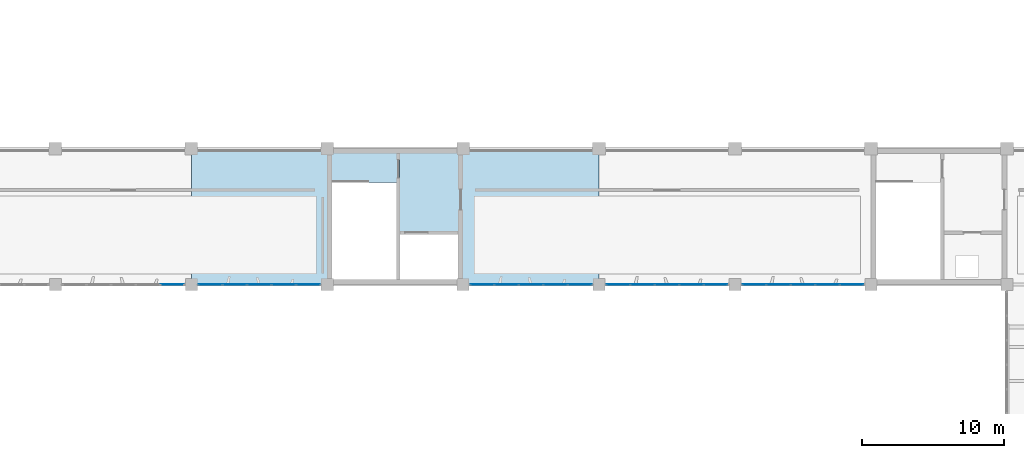
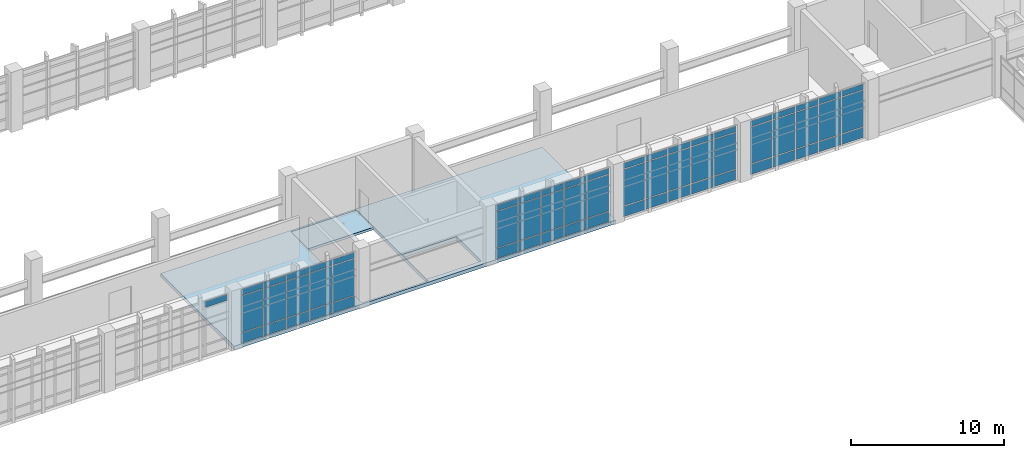
# One storey, part 52 of 86: 61 plates, 2 slabs, 5 elements without a shape of their own.
"""IFC4 building model written with IfcOpenShell, lengths in metres."""

from ifc_helpers import new_model, si_unit, direction, frame, origin, origin_2d, place, context, subcontext, project, spatial, polyline, rectangle, outline, extrude, material, layer, layer_set, type_object, element, aggregate, save


model = new_model("IFC4")

# Units and contexts
model_context = context("Model", 3, precision=1e-05, world=origin(), true_north=direction((0.0, 1.0)))
body_context = subcontext(model_context, "Body", "Model", "MODEL_VIEW")
ifc_project = project(units=[si_unit("LENGTHUNIT", "METRE"), si_unit("AREAUNIT", "SQUARE_METRE"), si_unit("VOLUMEUNIT", "CUBIC_METRE"), si_unit("PLANEANGLEUNIT", "RADIAN"), si_unit("MASSUNIT", "GRAM", prefix="KILO")], contexts=[model_context])

# Site, building, storey
site_placement = place(None, origin())
site = spatial("IfcSite", under=ifc_project, at=site_placement, CompositionType="ELEMENT")
building_placement = place(site_placement, origin())
building = spatial("IfcBuilding", under=site, at=building_placement, Name="Kolvemor Railside Polytechnic", CompositionType="ELEMENT")
storey_placement = place(building_placement, frame((0.0, 0.0, 5.39990234375)))
storey = spatial("IfcBuildingStorey", under=building, at=storey_placement, Name="L01", CompositionType="ELEMENT", Elevation=5.39990234375)

# Curtain wall, plate
ifc_material_1 = material(Name="Anodised marine aluminium and laminated low-E glass", Category="aluminium")
ifc_layer_1 = layer(ifc_material_1, 0.179931640625, Name="CW-UNIT-WKS")
ifc_layer_set_1 = layer_set([ifc_layer_1], Name="Anodised marine aluminium and laminated low-E glass")
curtain_wall_type = type_object("IfcCurtainWallType", Name="CW-UNIT-WKS", PredefinedType="USERDEFINED", material=ifc_layer_set_1)
curtain_wall_1_placement = place(storey_placement, origin())
curtain_wall_1 = element("IfcCurtainWall", 1, at=curtain_wall_1_placement, inside=storey, type_object=curtain_wall_type, Name="Curtain Wall L01-011", ObjectType="UNITISED CURTAIN WALL", PredefinedType="USERDEFINED")
ifc_material_2 = material(Name="Hurricane-laminated solar-control low-E glass", Category="glass")
ifc_layer_2 = layer(ifc_material_2, 0.033935546875, Name="CWP-GLZ-07")
ifc_layer_set_2 = layer_set([ifc_layer_2], Name="Hurricane-laminated solar-control low-E glass")
plate_type_1 = type_object("IfcPlateType", Name="CWP-GLZ-07", PredefinedType="CURTAIN_PANEL", material=ifc_layer_set_2)
plate_1_placement = place(storey_placement, frame((75.44775390625, 91.199951171875, 3.8828125), z_axis=(0.0, 0.0, 1.0), x_axis=(1.0, 0.0, 0.0)))
plate_1 = element("IfcPlate", 2, at=plate_1_placement, type_object=plate_type_1, Name="CW-WKS panel 5.3", PredefinedType="CURTAIN_PANEL", context=body_context, shape_type="SweptSolid", body=[
    extrude(rectangle(XDim=1.634521484375, YDim=0.033935546875, at=origin_2d()), origin(), (0.0, 0.0, 1.0), 0.452392578125),
])
aggregate(curtain_wall_1, [plate_1])

# Curtain wall, plates
curtain_wall_2_placement = place(storey_placement, origin())
curtain_wall_2 = element("IfcCurtainWall", 3, at=curtain_wall_2_placement, inside=storey, type_object=curtain_wall_type, Name="Curtain Wall L01-014", ObjectType="UNITISED CURTAIN WALL", PredefinedType="USERDEFINED")
ifc_material_3 = material(Name="Hurricane-laminated solar-control low-E glass", Category="glass")
ifc_layer_3 = layer(ifc_material_3, 0.035888671875, Name="CWP-GLZ-08")
ifc_layer_set_3 = layer_set([ifc_layer_3], Name="Hurricane-laminated solar-control low-E glass")
plate_type_2 = type_object("IfcPlateType", Name="CWP-GLZ-08", PredefinedType="CURTAIN_PANEL", material=ifc_layer_set_3)
plate_2_placement = place(storey_placement, frame((78.15234375, 91.199951171875, 0.06494140625), z_axis=(0.0, 0.0, 1.0), x_axis=(1.0, 0.0, 0.0)))
plate_2 = element("IfcPlate", 4, at=plate_2_placement, type_object=plate_type_2, Name="CW-WKS panel 1.1", PredefinedType="CURTAIN_PANEL", context=body_context, shape_type="SweptSolid", body=[
    extrude(rectangle(XDim=1.634521484375, YDim=0.035888671875, at=origin_2d()), origin(), (0.0, 0.0, 1.0), 0.802490234375),
])
plate_3_placement = place(storey_placement, frame((78.15234375, 91.199951171875, 0.9326171875), z_axis=(0.0, 0.0, 1.0), x_axis=(1.0, 0.0, 0.0)))
plate_3 = element("IfcPlate", 5, at=plate_3_placement, type_object=plate_type_2, Name="CW-WKS panel 1.2", PredefinedType="CURTAIN_PANEL", context=body_context, shape_type="SweptSolid", body=[
    extrude(rectangle(XDim=1.634521484375, YDim=0.035888671875, at=origin_2d()), origin(), (0.0, 0.0, 1.0), 2.885009765625),
])
plate_4_placement = place(storey_placement, frame((78.15234375, 91.199951171875, 3.8828125), z_axis=(0.0, 0.0, 1.0), x_axis=(1.0, 0.0, 0.0)))
plate_4 = element("IfcPlate", 6, at=plate_4_placement, type_object=plate_type_2, Name="CW-WKS panel 1.3", PredefinedType="CURTAIN_PANEL", context=body_context, shape_type="SweptSolid", body=[
    extrude(rectangle(XDim=1.634521484375, YDim=0.035888671875, at=origin_2d()), origin(), (0.0, 0.0, 1.0), 0.452392578125),
])
plate_5_placement = place(storey_placement, frame((79.867919921875, 91.199951171875, 0.06494140625), z_axis=(0.0, 0.0, 1.0), x_axis=(1.0, 0.0, 0.0)))
plate_5 = element("IfcPlate", 7, at=plate_5_placement, type_object=plate_type_2, Name="CW-WKS panel 2.1", PredefinedType="CURTAIN_PANEL", context=body_context, shape_type="SweptSolid", body=[
    extrude(rectangle(XDim=1.6669921875, YDim=0.035888671875, at=origin_2d()), origin(), (0.0, 0.0, 1.0), 0.802490234375),
])
plate_6_placement = place(storey_placement, frame((79.867919921875, 91.199951171875, 0.9326171875), z_axis=(0.0, 0.0, 1.0), x_axis=(1.0, 0.0, 0.0)))
plate_6 = element("IfcPlate", 8, at=plate_6_placement, type_object=plate_type_2, Name="CW-WKS panel 2.2", PredefinedType="CURTAIN_PANEL", context=body_context, shape_type="SweptSolid", body=[
    extrude(rectangle(XDim=1.6669921875, YDim=0.035888671875, at=origin_2d()), origin(), (0.0, 0.0, 1.0), 2.885009765625),
])
plate_7_placement = place(storey_placement, frame((79.867919921875, 91.199951171875, 3.8828125), z_axis=(0.0, 0.0, 1.0), x_axis=(1.0, 0.0, 0.0)))
plate_7 = element("IfcPlate", 9, at=plate_7_placement, type_object=plate_type_2, Name="CW-WKS panel 2.3", PredefinedType="CURTAIN_PANEL", context=body_context, shape_type="SweptSolid", body=[
    extrude(rectangle(XDim=1.6669921875, YDim=0.035888671875, at=origin_2d()), origin(), (0.0, 0.0, 1.0), 0.452392578125),
])
plate_8_placement = place(storey_placement, frame((81.60009765625, 91.199951171875, 0.06494140625), z_axis=(0.0, 0.0, 1.0), x_axis=(1.0, 0.0, 0.0)))
plate_8 = element("IfcPlate", 10, at=plate_8_placement, type_object=plate_type_2, Name="CW-WKS panel 3.1", PredefinedType="CURTAIN_PANEL", context=body_context, shape_type="SweptSolid", body=[
    extrude(rectangle(XDim=1.6669921875, YDim=0.035888671875, at=origin_2d()), origin(), (0.0, 0.0, 1.0), 0.802490234375),
])
plate_9_placement = place(storey_placement, frame((81.60009765625, 91.199951171875, 0.9326171875), z_axis=(0.0, 0.0, 1.0), x_axis=(1.0, 0.0, 0.0)))
plate_9 = element("IfcPlate", 11, at=plate_9_placement, type_object=plate_type_2, Name="CW-WKS panel 3.2", PredefinedType="CURTAIN_PANEL", context=body_context, shape_type="SweptSolid", body=[
    extrude(rectangle(XDim=1.6669921875, YDim=0.035888671875, at=origin_2d()), origin(), (0.0, 0.0, 1.0), 2.885009765625),
])
plate_10_placement = place(storey_placement, frame((81.60009765625, 91.199951171875, 3.8828125), z_axis=(0.0, 0.0, 1.0), x_axis=(1.0, 0.0, 0.0)))
plate_10 = element("IfcPlate", 12, at=plate_10_placement, type_object=plate_type_2, Name="CW-WKS panel 3.3", PredefinedType="CURTAIN_PANEL", context=body_context, shape_type="SweptSolid", body=[
    extrude(rectangle(XDim=1.6669921875, YDim=0.035888671875, at=origin_2d()), origin(), (0.0, 0.0, 1.0), 0.452392578125),
])
plate_11_placement = place(storey_placement, frame((83.33203125, 91.199951171875, 0.06494140625), z_axis=(0.0, 0.0, 1.0), x_axis=(1.0, 0.0, 0.0)))
plate_11 = element("IfcPlate", 13, at=plate_11_placement, type_object=plate_type_2, Name="CW-WKS panel 4.1", PredefinedType="CURTAIN_PANEL", context=body_context, shape_type="SweptSolid", body=[
    extrude(rectangle(XDim=1.6669921875, YDim=0.035888671875, at=origin_2d()), origin(), (0.0, 0.0, 1.0), 0.802490234375),
])
plate_12_placement = place(storey_placement, frame((83.33203125, 91.199951171875, 0.9326171875), z_axis=(0.0, 0.0, 1.0), x_axis=(1.0, 0.0, 0.0)))
plate_12 = element("IfcPlate", 14, at=plate_12_placement, type_object=plate_type_2, Name="CW-WKS panel 4.2", PredefinedType="CURTAIN_PANEL", context=body_context, shape_type="SweptSolid", body=[
    extrude(rectangle(XDim=1.6669921875, YDim=0.035888671875, at=origin_2d()), origin(), (0.0, 0.0, 1.0), 2.885009765625),
])
plate_13_placement = place(storey_placement, frame((83.33203125, 91.199951171875, 3.8828125), z_axis=(0.0, 0.0, 1.0), x_axis=(1.0, 0.0, 0.0)))
plate_13 = element("IfcPlate", 15, at=plate_13_placement, type_object=plate_type_2, Name="CW-WKS panel 4.3", PredefinedType="CURTAIN_PANEL", context=body_context, shape_type="SweptSolid", body=[
    extrude(rectangle(XDim=1.6669921875, YDim=0.035888671875, at=origin_2d()), origin(), (0.0, 0.0, 1.0), 0.452392578125),
])
plate_14_placement = place(storey_placement, frame((85.0478515625, 91.199951171875, 0.06494140625), z_axis=(0.0, 0.0, 1.0), x_axis=(1.0, 0.0, 0.0)))
plate_14 = element("IfcPlate", 16, at=plate_14_placement, type_object=plate_type_2, Name="CW-WKS panel 5.1", PredefinedType="CURTAIN_PANEL", context=body_context, shape_type="SweptSolid", body=[
    extrude(rectangle(XDim=1.634521484375, YDim=0.035888671875, at=origin_2d()), origin(), (0.0, 0.0, 1.0), 0.802490234375),
])
plate_15_placement = place(storey_placement, frame((85.0478515625, 91.199951171875, 0.9326171875), z_axis=(0.0, 0.0, 1.0), x_axis=(1.0, 0.0, 0.0)))
plate_15 = element("IfcPlate", 17, at=plate_15_placement, type_object=plate_type_2, Name="CW-WKS panel 5.2", PredefinedType="CURTAIN_PANEL", context=body_context, shape_type="SweptSolid", body=[
    extrude(rectangle(XDim=1.634521484375, YDim=0.035888671875, at=origin_2d()), origin(), (0.0, 0.0, 1.0), 2.885009765625),
])
plate_16_placement = place(storey_placement, frame((85.0478515625, 91.199951171875, 3.8828125), z_axis=(0.0, 0.0, 1.0), x_axis=(1.0, 0.0, 0.0)))
plate_16 = element("IfcPlate", 18, at=plate_16_placement, type_object=plate_type_2, Name="CW-WKS panel 5.3", PredefinedType="CURTAIN_PANEL", context=body_context, shape_type="SweptSolid", body=[
    extrude(rectangle(XDim=1.634521484375, YDim=0.035888671875, at=origin_2d()), origin(), (0.0, 0.0, 1.0), 0.452392578125),
])
aggregate(curtain_wall_2, [plate_2, plate_3, plate_4, plate_5, plate_6, plate_7, plate_8, plate_9, plate_10, plate_11, plate_12, plate_13, plate_14, plate_15, plate_16])

curtain_wall_3_placement = place(storey_placement, origin())
curtain_wall_3 = element("IfcCurtainWall", 19, at=curtain_wall_3_placement, inside=storey, type_object=curtain_wall_type, Name="Curtain Wall L01-018", ObjectType="UNITISED CURTAIN WALL", PredefinedType="USERDEFINED")
ifc_material_4 = material(Name="Hurricane-laminated solar-control low-E glass", Category="glass")
ifc_layer_4 = layer(ifc_material_4, 0.0400390625, Name="CWP-GLZ-10")
ifc_layer_set_4 = layer_set([ifc_layer_4], Name="Hurricane-laminated solar-control low-E glass")
plate_type_3 = type_object("IfcPlateType", Name="CWP-GLZ-10", PredefinedType="CURTAIN_PANEL", material=ifc_layer_set_4)
plate_17_placement = place(storey_placement, frame((97.352294921875, 91.199951171875, 0.06494140625), z_axis=(0.0, 0.0, 1.0), x_axis=(1.0, 0.0, 0.0)))
plate_17 = element("IfcPlate", 20, at=plate_17_placement, type_object=plate_type_3, Name="CW-WKS panel 1.1", PredefinedType="CURTAIN_PANEL", context=body_context, shape_type="SweptSolid", body=[
    extrude(rectangle(XDim=1.634521484375, YDim=0.0400390625, at=origin_2d()), origin(), (0.0, 0.0, 1.0), 0.802490234375),
])
plate_18_placement = place(storey_placement, frame((97.352294921875, 91.199951171875, 0.9326171875), z_axis=(0.0, 0.0, 1.0), x_axis=(1.0, 0.0, 0.0)))
plate_18 = element("IfcPlate", 21, at=plate_18_placement, type_object=plate_type_3, Name="CW-WKS panel 1.2", PredefinedType="CURTAIN_PANEL", context=body_context, shape_type="SweptSolid", body=[
    extrude(rectangle(XDim=1.634521484375, YDim=0.0400390625, at=origin_2d()), origin(), (0.0, 0.0, 1.0), 2.885009765625),
])
plate_19_placement = place(storey_placement, frame((97.352294921875, 91.199951171875, 3.8828125), z_axis=(0.0, 0.0, 1.0), x_axis=(1.0, 0.0, 0.0)))
plate_19 = element("IfcPlate", 22, at=plate_19_placement, type_object=plate_type_3, Name="CW-WKS panel 1.3", PredefinedType="CURTAIN_PANEL", context=body_context, shape_type="SweptSolid", body=[
    extrude(rectangle(XDim=1.634521484375, YDim=0.0400390625, at=origin_2d()), origin(), (0.0, 0.0, 1.0), 0.452392578125),
])
plate_20_placement = place(storey_placement, frame((99.068115234375, 91.199951171875, 0.06494140625), z_axis=(0.0, 0.0, 1.0), x_axis=(1.0, 0.0, 0.0)))
plate_20 = element("IfcPlate", 23, at=plate_20_placement, type_object=plate_type_3, Name="CW-WKS panel 2.1", PredefinedType="CURTAIN_PANEL", context=body_context, shape_type="SweptSolid", body=[
    extrude(rectangle(XDim=1.6669921875, YDim=0.0400390625, at=origin_2d()), origin(), (0.0, 0.0, 1.0), 0.802490234375),
])
plate_21_placement = place(storey_placement, frame((99.068115234375, 91.199951171875, 0.9326171875), z_axis=(0.0, 0.0, 1.0), x_axis=(1.0, 0.0, 0.0)))
plate_21 = element("IfcPlate", 24, at=plate_21_placement, type_object=plate_type_3, Name="CW-WKS panel 2.2", PredefinedType="CURTAIN_PANEL", context=body_context, shape_type="SweptSolid", body=[
    extrude(rectangle(XDim=1.6669921875, YDim=0.0400390625, at=origin_2d()), origin(), (0.0, 0.0, 1.0), 2.885009765625),
])
plate_22_placement = place(storey_placement, frame((99.068115234375, 91.199951171875, 3.8828125), z_axis=(0.0, 0.0, 1.0), x_axis=(1.0, 0.0, 0.0)))
plate_22 = element("IfcPlate", 25, at=plate_22_placement, type_object=plate_type_3, Name="CW-WKS panel 2.3", PredefinedType="CURTAIN_PANEL", context=body_context, shape_type="SweptSolid", body=[
    extrude(rectangle(XDim=1.6669921875, YDim=0.0400390625, at=origin_2d()), origin(), (0.0, 0.0, 1.0), 0.452392578125),
])
plate_23_placement = place(storey_placement, frame((100.800048828125, 91.199951171875, 0.06494140625), z_axis=(0.0, 0.0, 1.0), x_axis=(1.0, 0.0, 0.0)))
plate_23 = element("IfcPlate", 26, at=plate_23_placement, type_object=plate_type_3, Name="CW-WKS panel 3.1", PredefinedType="CURTAIN_PANEL", context=body_context, shape_type="SweptSolid", body=[
    extrude(rectangle(XDim=1.6669921875, YDim=0.0400390625, at=origin_2d()), origin(), (0.0, 0.0, 1.0), 0.802490234375),
])
plate_24_placement = place(storey_placement, frame((100.800048828125, 91.199951171875, 0.9326171875), z_axis=(0.0, 0.0, 1.0), x_axis=(1.0, 0.0, 0.0)))
plate_24 = element("IfcPlate", 27, at=plate_24_placement, type_object=plate_type_3, Name="CW-WKS panel 3.2", PredefinedType="CURTAIN_PANEL", context=body_context, shape_type="SweptSolid", body=[
    extrude(rectangle(XDim=1.6669921875, YDim=0.0400390625, at=origin_2d()), origin(), (0.0, 0.0, 1.0), 2.885009765625),
])
plate_25_placement = place(storey_placement, frame((100.800048828125, 91.199951171875, 3.8828125), z_axis=(0.0, 0.0, 1.0), x_axis=(1.0, 0.0, 0.0)))
plate_25 = element("IfcPlate", 28, at=plate_25_placement, type_object=plate_type_3, Name="CW-WKS panel 3.3", PredefinedType="CURTAIN_PANEL", context=body_context, shape_type="SweptSolid", body=[
    extrude(rectangle(XDim=1.6669921875, YDim=0.0400390625, at=origin_2d()), origin(), (0.0, 0.0, 1.0), 0.452392578125),
])
plate_26_placement = place(storey_placement, frame((102.531982421875, 91.199951171875, 0.06494140625), z_axis=(0.0, 0.0, 1.0), x_axis=(1.0, 0.0, 0.0)))
plate_26 = element("IfcPlate", 29, at=plate_26_placement, type_object=plate_type_3, Name="CW-WKS panel 4.1", PredefinedType="CURTAIN_PANEL", context=body_context, shape_type="SweptSolid", body=[
    extrude(rectangle(XDim=1.6669921875, YDim=0.0400390625, at=origin_2d()), origin(), (0.0, 0.0, 1.0), 0.802490234375),
])
plate_27_placement = place(storey_placement, frame((102.531982421875, 91.199951171875, 0.9326171875), z_axis=(0.0, 0.0, 1.0), x_axis=(1.0, 0.0, 0.0)))
plate_27 = element("IfcPlate", 30, at=plate_27_placement, type_object=plate_type_3, Name="CW-WKS panel 4.2", PredefinedType="CURTAIN_PANEL", context=body_context, shape_type="SweptSolid", body=[
    extrude(rectangle(XDim=1.6669921875, YDim=0.0400390625, at=origin_2d()), origin(), (0.0, 0.0, 1.0), 2.885009765625),
])
plate_28_placement = place(storey_placement, frame((102.531982421875, 91.199951171875, 3.8828125), z_axis=(0.0, 0.0, 1.0), x_axis=(1.0, 0.0, 0.0)))
plate_28 = element("IfcPlate", 31, at=plate_28_placement, type_object=plate_type_3, Name="CW-WKS panel 4.3", PredefinedType="CURTAIN_PANEL", context=body_context, shape_type="SweptSolid", body=[
    extrude(rectangle(XDim=1.6669921875, YDim=0.0400390625, at=origin_2d()), origin(), (0.0, 0.0, 1.0), 0.452392578125),
])
plate_29_placement = place(storey_placement, frame((104.247802734375, 91.199951171875, 0.06494140625), z_axis=(0.0, 0.0, 1.0), x_axis=(1.0, 0.0, 0.0)))
plate_29 = element("IfcPlate", 32, at=plate_29_placement, type_object=plate_type_3, Name="CW-WKS panel 5.1", PredefinedType="CURTAIN_PANEL", context=body_context, shape_type="SweptSolid", body=[
    extrude(rectangle(XDim=1.634521484375, YDim=0.0400390625, at=origin_2d()), origin(), (0.0, 0.0, 1.0), 0.802490234375),
])
plate_30_placement = place(storey_placement, frame((104.247802734375, 91.199951171875, 0.9326171875), z_axis=(0.0, 0.0, 1.0), x_axis=(1.0, 0.0, 0.0)))
plate_30 = element("IfcPlate", 33, at=plate_30_placement, type_object=plate_type_3, Name="CW-WKS panel 5.2", PredefinedType="CURTAIN_PANEL", context=body_context, shape_type="SweptSolid", body=[
    extrude(rectangle(XDim=1.634521484375, YDim=0.0400390625, at=origin_2d()), origin(), (0.0, 0.0, 1.0), 2.885009765625),
])
plate_31_placement = place(storey_placement, frame((104.247802734375, 91.199951171875, 3.8828125), z_axis=(0.0, 0.0, 1.0), x_axis=(1.0, 0.0, 0.0)))
plate_31 = element("IfcPlate", 34, at=plate_31_placement, type_object=plate_type_3, Name="CW-WKS panel 5.3", PredefinedType="CURTAIN_PANEL", context=body_context, shape_type="SweptSolid", body=[
    extrude(rectangle(XDim=1.634521484375, YDim=0.0400390625, at=origin_2d()), origin(), (0.0, 0.0, 1.0), 0.452392578125),
])
aggregate(curtain_wall_3, [plate_17, plate_18, plate_19, plate_20, plate_21, plate_22, plate_23, plate_24, plate_25, plate_26, plate_27, plate_28, plate_29, plate_30, plate_31])

curtain_wall_4_placement = place(storey_placement, origin())
curtain_wall_4 = element("IfcCurtainWall", 35, at=curtain_wall_4_placement, inside=storey, type_object=curtain_wall_type, Name="Curtain Wall L01-021", ObjectType="UNITISED CURTAIN WALL", PredefinedType="USERDEFINED")
ifc_material_5 = material(Name="Hurricane-laminated solar-control low-E glass", Category="glass")
ifc_layer_5 = layer(ifc_material_5, 0.0419921875, Name="CWP-GLZ-11")
ifc_layer_set_5 = layer_set([ifc_layer_5], Name="Hurricane-laminated solar-control low-E glass")
plate_type_4 = type_object("IfcPlateType", Name="CWP-GLZ-11", PredefinedType="CURTAIN_PANEL", material=ifc_layer_set_5)
plate_32_placement = place(storey_placement, frame((106.9521484375, 91.199951171875, 0.06494140625), z_axis=(0.0, 0.0, 1.0), x_axis=(1.0, 0.0, 0.0)))
plate_32 = element("IfcPlate", 36, at=plate_32_placement, type_object=plate_type_4, Name="CW-WKS panel 1.1", PredefinedType="CURTAIN_PANEL", context=body_context, shape_type="SweptSolid", body=[
    extrude(rectangle(XDim=1.634521484375, YDim=0.0419921875, at=origin_2d()), origin(), (0.0, 0.0, 1.0), 0.802490234375),
])
plate_33_placement = place(storey_placement, frame((106.9521484375, 91.199951171875, 0.9326171875), z_axis=(0.0, 0.0, 1.0), x_axis=(1.0, 0.0, 0.0)))
plate_33 = element("IfcPlate", 37, at=plate_33_placement, type_object=plate_type_4, Name="CW-WKS panel 1.2", PredefinedType="CURTAIN_PANEL", context=body_context, shape_type="SweptSolid", body=[
    extrude(rectangle(XDim=1.634521484375, YDim=0.0419921875, at=origin_2d()), origin(), (0.0, 0.0, 1.0), 2.885009765625),
])
plate_34_placement = place(storey_placement, frame((106.9521484375, 91.199951171875, 3.8828125), z_axis=(0.0, 0.0, 1.0), x_axis=(1.0, 0.0, 0.0)))
plate_34 = element("IfcPlate", 38, at=plate_34_placement, type_object=plate_type_4, Name="CW-WKS panel 1.3", PredefinedType="CURTAIN_PANEL", context=body_context, shape_type="SweptSolid", body=[
    extrude(rectangle(XDim=1.634521484375, YDim=0.0419921875, at=origin_2d()), origin(), (0.0, 0.0, 1.0), 0.452392578125),
])
plate_35_placement = place(storey_placement, frame((108.66796875, 91.199951171875, 0.06494140625), z_axis=(0.0, 0.0, 1.0), x_axis=(1.0, 0.0, 0.0)))
plate_35 = element("IfcPlate", 39, at=plate_35_placement, type_object=plate_type_4, Name="CW-WKS panel 2.1", PredefinedType="CURTAIN_PANEL", context=body_context, shape_type="SweptSolid", body=[
    extrude(rectangle(XDim=1.6669921875, YDim=0.0419921875, at=origin_2d()), origin(), (0.0, 0.0, 1.0), 0.802490234375),
])
plate_36_placement = place(storey_placement, frame((108.66796875, 91.199951171875, 0.9326171875), z_axis=(0.0, 0.0, 1.0), x_axis=(1.0, 0.0, 0.0)))
plate_36 = element("IfcPlate", 40, at=plate_36_placement, type_object=plate_type_4, Name="CW-WKS panel 2.2", PredefinedType="CURTAIN_PANEL", context=body_context, shape_type="SweptSolid", body=[
    extrude(rectangle(XDim=1.6669921875, YDim=0.0419921875, at=origin_2d()), origin(), (0.0, 0.0, 1.0), 2.885009765625),
])
plate_37_placement = place(storey_placement, frame((108.66796875, 91.199951171875, 3.8828125), z_axis=(0.0, 0.0, 1.0), x_axis=(1.0, 0.0, 0.0)))
plate_37 = element("IfcPlate", 41, at=plate_37_placement, type_object=plate_type_4, Name="CW-WKS panel 2.3", PredefinedType="CURTAIN_PANEL", context=body_context, shape_type="SweptSolid", body=[
    extrude(rectangle(XDim=1.6669921875, YDim=0.0419921875, at=origin_2d()), origin(), (0.0, 0.0, 1.0), 0.452392578125),
])
plate_38_placement = place(storey_placement, frame((110.39990234375, 91.199951171875, 0.06494140625), z_axis=(0.0, 0.0, 1.0), x_axis=(1.0, 0.0, 0.0)))
plate_38 = element("IfcPlate", 42, at=plate_38_placement, type_object=plate_type_4, Name="CW-WKS panel 3.1", PredefinedType="CURTAIN_PANEL", context=body_context, shape_type="SweptSolid", body=[
    extrude(rectangle(XDim=1.6669921875, YDim=0.0419921875, at=origin_2d()), origin(), (0.0, 0.0, 1.0), 0.802490234375),
])
plate_39_placement = place(storey_placement, frame((110.39990234375, 91.199951171875, 0.9326171875), z_axis=(0.0, 0.0, 1.0), x_axis=(1.0, 0.0, 0.0)))
plate_39 = element("IfcPlate", 43, at=plate_39_placement, type_object=plate_type_4, Name="CW-WKS panel 3.2", PredefinedType="CURTAIN_PANEL", context=body_context, shape_type="SweptSolid", body=[
    extrude(rectangle(XDim=1.6669921875, YDim=0.0419921875, at=origin_2d()), origin(), (0.0, 0.0, 1.0), 2.885009765625),
])
plate_40_placement = place(storey_placement, frame((110.39990234375, 91.199951171875, 3.8828125), z_axis=(0.0, 0.0, 1.0), x_axis=(1.0, 0.0, 0.0)))
plate_40 = element("IfcPlate", 44, at=plate_40_placement, type_object=plate_type_4, Name="CW-WKS panel 3.3", PredefinedType="CURTAIN_PANEL", context=body_context, shape_type="SweptSolid", body=[
    extrude(rectangle(XDim=1.6669921875, YDim=0.0419921875, at=origin_2d()), origin(), (0.0, 0.0, 1.0), 0.452392578125),
])
plate_41_placement = place(storey_placement, frame((112.132080078125, 91.199951171875, 0.06494140625), z_axis=(0.0, 0.0, 1.0), x_axis=(1.0, 0.0, 0.0)))
plate_41 = element("IfcPlate", 45, at=plate_41_placement, type_object=plate_type_4, Name="CW-WKS panel 4.1", PredefinedType="CURTAIN_PANEL", context=body_context, shape_type="SweptSolid", body=[
    extrude(rectangle(XDim=1.6669921875, YDim=0.0419921875, at=origin_2d()), origin(), (0.0, 0.0, 1.0), 0.802490234375),
])
plate_42_placement = place(storey_placement, frame((112.132080078125, 91.199951171875, 0.9326171875), z_axis=(0.0, 0.0, 1.0), x_axis=(1.0, 0.0, 0.0)))
plate_42 = element("IfcPlate", 46, at=plate_42_placement, type_object=plate_type_4, Name="CW-WKS panel 4.2", PredefinedType="CURTAIN_PANEL", context=body_context, shape_type="SweptSolid", body=[
    extrude(rectangle(XDim=1.6669921875, YDim=0.0419921875, at=origin_2d()), origin(), (0.0, 0.0, 1.0), 2.885009765625),
])
plate_43_placement = place(storey_placement, frame((112.132080078125, 91.199951171875, 3.8828125), z_axis=(0.0, 0.0, 1.0), x_axis=(1.0, 0.0, 0.0)))
plate_43 = element("IfcPlate", 47, at=plate_43_placement, type_object=plate_type_4, Name="CW-WKS panel 4.3", PredefinedType="CURTAIN_PANEL", context=body_context, shape_type="SweptSolid", body=[
    extrude(rectangle(XDim=1.6669921875, YDim=0.0419921875, at=origin_2d()), origin(), (0.0, 0.0, 1.0), 0.452392578125),
])
plate_44_placement = place(storey_placement, frame((113.84765625, 91.199951171875, 0.06494140625), z_axis=(0.0, 0.0, 1.0), x_axis=(1.0, 0.0, 0.0)))
plate_44 = element("IfcPlate", 48, at=plate_44_placement, type_object=plate_type_4, Name="CW-WKS panel 5.1", PredefinedType="CURTAIN_PANEL", context=body_context, shape_type="SweptSolid", body=[
    extrude(rectangle(XDim=1.634521484375, YDim=0.0419921875, at=origin_2d()), origin(), (0.0, 0.0, 1.0), 0.802490234375),
])
plate_45_placement = place(storey_placement, frame((113.84765625, 91.199951171875, 0.9326171875), z_axis=(0.0, 0.0, 1.0), x_axis=(1.0, 0.0, 0.0)))
plate_45 = element("IfcPlate", 49, at=plate_45_placement, type_object=plate_type_4, Name="CW-WKS panel 5.2", PredefinedType="CURTAIN_PANEL", context=body_context, shape_type="SweptSolid", body=[
    extrude(rectangle(XDim=1.634521484375, YDim=0.0419921875, at=origin_2d()), origin(), (0.0, 0.0, 1.0), 2.885009765625),
])
plate_46_placement = place(storey_placement, frame((113.84765625, 91.199951171875, 3.8828125), z_axis=(0.0, 0.0, 1.0), x_axis=(1.0, 0.0, 0.0)))
plate_46 = element("IfcPlate", 50, at=plate_46_placement, type_object=plate_type_4, Name="CW-WKS panel 5.3", PredefinedType="CURTAIN_PANEL", context=body_context, shape_type="SweptSolid", body=[
    extrude(rectangle(XDim=1.634521484375, YDim=0.0419921875, at=origin_2d()), origin(), (0.0, 0.0, 1.0), 0.452392578125),
])
aggregate(curtain_wall_4, [plate_32, plate_33, plate_34, plate_35, plate_36, plate_37, plate_38, plate_39, plate_40, plate_41, plate_42, plate_43, plate_44, plate_45, plate_46])

curtain_wall_5_placement = place(storey_placement, origin())
curtain_wall_5 = element("IfcCurtainWall", 51, at=curtain_wall_5_placement, inside=storey, type_object=curtain_wall_type, Name="Curtain Wall L01-024", ObjectType="UNITISED CURTAIN WALL", PredefinedType="USERDEFINED")
ifc_material_6 = material(Name="Hurricane-laminated solar-control low-E glass", Category="glass")
ifc_layer_6 = layer(ifc_material_6, 0.0439453125, Name="CWP-GLZ-12")
ifc_layer_set_6 = layer_set([ifc_layer_6], Name="Hurricane-laminated solar-control low-E glass")
plate_type_5 = type_object("IfcPlateType", Name="CWP-GLZ-12", PredefinedType="CURTAIN_PANEL", material=ifc_layer_set_6)
plate_47_placement = place(storey_placement, frame((116.55224609375, 91.199951171875, 0.06494140625), z_axis=(0.0, 0.0, 1.0), x_axis=(1.0, 0.0, 0.0)))
plate_47 = element("IfcPlate", 52, at=plate_47_placement, type_object=plate_type_5, Name="CW-WKS panel 1.1", PredefinedType="CURTAIN_PANEL", context=body_context, shape_type="SweptSolid", body=[
    extrude(rectangle(XDim=1.634521484375, YDim=0.0439453125, at=origin_2d()), origin(), (0.0, 0.0, 1.0), 0.802490234375),
])
plate_48_placement = place(storey_placement, frame((116.55224609375, 91.199951171875, 0.9326171875), z_axis=(0.0, 0.0, 1.0), x_axis=(1.0, 0.0, 0.0)))
plate_48 = element("IfcPlate", 53, at=plate_48_placement, type_object=plate_type_5, Name="CW-WKS panel 1.2", PredefinedType="CURTAIN_PANEL", context=body_context, shape_type="SweptSolid", body=[
    extrude(rectangle(XDim=1.634521484375, YDim=0.0439453125, at=origin_2d()), origin(), (0.0, 0.0, 1.0), 2.885009765625),
])
plate_49_placement = place(storey_placement, frame((116.55224609375, 91.199951171875, 3.8828125), z_axis=(0.0, 0.0, 1.0), x_axis=(1.0, 0.0, 0.0)))
plate_49 = element("IfcPlate", 54, at=plate_49_placement, type_object=plate_type_5, Name="CW-WKS panel 1.3", PredefinedType="CURTAIN_PANEL", context=body_context, shape_type="SweptSolid", body=[
    extrude(rectangle(XDim=1.634521484375, YDim=0.0439453125, at=origin_2d()), origin(), (0.0, 0.0, 1.0), 0.452392578125),
])
plate_50_placement = place(storey_placement, frame((118.26806640625, 91.199951171875, 0.06494140625), z_axis=(0.0, 0.0, 1.0), x_axis=(1.0, 0.0, 0.0)))
plate_50 = element("IfcPlate", 55, at=plate_50_placement, type_object=plate_type_5, Name="CW-WKS panel 2.1", PredefinedType="CURTAIN_PANEL", context=body_context, shape_type="SweptSolid", body=[
    extrude(rectangle(XDim=1.6669921875, YDim=0.0439453125, at=origin_2d()), origin(), (0.0, 0.0, 1.0), 0.802490234375),
])
plate_51_placement = place(storey_placement, frame((118.26806640625, 91.199951171875, 0.9326171875), z_axis=(0.0, 0.0, 1.0), x_axis=(1.0, 0.0, 0.0)))
plate_51 = element("IfcPlate", 56, at=plate_51_placement, type_object=plate_type_5, Name="CW-WKS panel 2.2", PredefinedType="CURTAIN_PANEL", context=body_context, shape_type="SweptSolid", body=[
    extrude(rectangle(XDim=1.6669921875, YDim=0.0439453125, at=origin_2d()), origin(), (0.0, 0.0, 1.0), 2.885009765625),
])
plate_52_placement = place(storey_placement, frame((118.26806640625, 91.199951171875, 3.8828125), z_axis=(0.0, 0.0, 1.0), x_axis=(1.0, 0.0, 0.0)))
plate_52 = element("IfcPlate", 57, at=plate_52_placement, type_object=plate_type_5, Name="CW-WKS panel 2.3", PredefinedType="CURTAIN_PANEL", context=body_context, shape_type="SweptSolid", body=[
    extrude(rectangle(XDim=1.6669921875, YDim=0.0439453125, at=origin_2d()), origin(), (0.0, 0.0, 1.0), 0.452392578125),
])
plate_53_placement = place(storey_placement, frame((120.0, 91.199951171875, 0.06494140625), z_axis=(0.0, 0.0, 1.0), x_axis=(1.0, 0.0, 0.0)))
plate_53 = element("IfcPlate", 58, at=plate_53_placement, type_object=plate_type_5, Name="CW-WKS panel 3.1", PredefinedType="CURTAIN_PANEL", context=body_context, shape_type="SweptSolid", body=[
    extrude(rectangle(XDim=1.6669921875, YDim=0.0439453125, at=origin_2d()), origin(), (0.0, 0.0, 1.0), 0.802490234375),
])
plate_54_placement = place(storey_placement, frame((120.0, 91.199951171875, 0.9326171875), z_axis=(0.0, 0.0, 1.0), x_axis=(1.0, 0.0, 0.0)))
plate_54 = element("IfcPlate", 59, at=plate_54_placement, type_object=plate_type_5, Name="CW-WKS panel 3.2", PredefinedType="CURTAIN_PANEL", context=body_context, shape_type="SweptSolid", body=[
    extrude(rectangle(XDim=1.6669921875, YDim=0.0439453125, at=origin_2d()), origin(), (0.0, 0.0, 1.0), 2.885009765625),
])
plate_55_placement = place(storey_placement, frame((120.0, 91.199951171875, 3.8828125), z_axis=(0.0, 0.0, 1.0), x_axis=(1.0, 0.0, 0.0)))
plate_55 = element("IfcPlate", 60, at=plate_55_placement, type_object=plate_type_5, Name="CW-WKS panel 3.3", PredefinedType="CURTAIN_PANEL", context=body_context, shape_type="SweptSolid", body=[
    extrude(rectangle(XDim=1.6669921875, YDim=0.0439453125, at=origin_2d()), origin(), (0.0, 0.0, 1.0), 0.452392578125),
])
plate_56_placement = place(storey_placement, frame((121.73193359375, 91.199951171875, 0.06494140625), z_axis=(0.0, 0.0, 1.0), x_axis=(1.0, 0.0, 0.0)))
plate_56 = element("IfcPlate", 61, at=plate_56_placement, type_object=plate_type_5, Name="CW-WKS panel 4.1", PredefinedType="CURTAIN_PANEL", context=body_context, shape_type="SweptSolid", body=[
    extrude(rectangle(XDim=1.6669921875, YDim=0.0439453125, at=origin_2d()), origin(), (0.0, 0.0, 1.0), 0.802490234375),
])
plate_57_placement = place(storey_placement, frame((121.73193359375, 91.199951171875, 0.9326171875), z_axis=(0.0, 0.0, 1.0), x_axis=(1.0, 0.0, 0.0)))
plate_57 = element("IfcPlate", 62, at=plate_57_placement, type_object=plate_type_5, Name="CW-WKS panel 4.2", PredefinedType="CURTAIN_PANEL", context=body_context, shape_type="SweptSolid", body=[
    extrude(rectangle(XDim=1.6669921875, YDim=0.0439453125, at=origin_2d()), origin(), (0.0, 0.0, 1.0), 2.885009765625),
])
plate_58_placement = place(storey_placement, frame((121.73193359375, 91.199951171875, 3.8828125), z_axis=(0.0, 0.0, 1.0), x_axis=(1.0, 0.0, 0.0)))
plate_58 = element("IfcPlate", 63, at=plate_58_placement, type_object=plate_type_5, Name="CW-WKS panel 4.3", PredefinedType="CURTAIN_PANEL", context=body_context, shape_type="SweptSolid", body=[
    extrude(rectangle(XDim=1.6669921875, YDim=0.0439453125, at=origin_2d()), origin(), (0.0, 0.0, 1.0), 0.452392578125),
])
plate_59_placement = place(storey_placement, frame((123.44775390625, 91.199951171875, 0.06494140625), z_axis=(0.0, 0.0, 1.0), x_axis=(1.0, 0.0, 0.0)))
plate_59 = element("IfcPlate", 64, at=plate_59_placement, type_object=plate_type_5, Name="CW-WKS panel 5.1", PredefinedType="CURTAIN_PANEL", context=body_context, shape_type="SweptSolid", body=[
    extrude(rectangle(XDim=1.634521484375, YDim=0.0439453125, at=origin_2d()), origin(), (0.0, 0.0, 1.0), 0.802490234375),
])
plate_60_placement = place(storey_placement, frame((123.44775390625, 91.199951171875, 0.9326171875), z_axis=(0.0, 0.0, 1.0), x_axis=(1.0, 0.0, 0.0)))
plate_60 = element("IfcPlate", 65, at=plate_60_placement, type_object=plate_type_5, Name="CW-WKS panel 5.2", PredefinedType="CURTAIN_PANEL", context=body_context, shape_type="SweptSolid", body=[
    extrude(rectangle(XDim=1.634521484375, YDim=0.0439453125, at=origin_2d()), origin(), (0.0, 0.0, 1.0), 2.885009765625),
])
plate_61_placement = place(storey_placement, frame((123.44775390625, 91.199951171875, 3.8828125), z_axis=(0.0, 0.0, 1.0), x_axis=(1.0, 0.0, 0.0)))
plate_61 = element("IfcPlate", 66, at=plate_61_placement, type_object=plate_type_5, Name="CW-WKS panel 5.3", PredefinedType="CURTAIN_PANEL", context=body_context, shape_type="SweptSolid", body=[
    extrude(rectangle(XDim=1.634521484375, YDim=0.0439453125, at=origin_2d()), origin(), (0.0, 0.0, 1.0), 0.452392578125),
])
aggregate(curtain_wall_5, [plate_47, plate_48, plate_49, plate_50, plate_51, plate_52, plate_53, plate_54, plate_55, plate_56, plate_57, plate_58, plate_59, plate_60, plate_61])

# Slabs
ifc_material_7 = material(Name="Concrete C40/50", Category="concrete")
ifc_layer_7 = layer(ifc_material_7, 0.199951171875, Name="SLB-LND-200")
ifc_layer_set_7 = layer_set([ifc_layer_7], Name="Concrete C40/50")
slab_type_1 = type_object("IfcSlabType", Name="SLB-LND-200", PredefinedType="LANDING", material=ifc_layer_set_7)
slab_1_placement = place(storey_placement, frame((0.0, 0.0, -0.199951171875)))
element("IfcSlab", 67, at=slab_1_placement, inside=storey, type_object=slab_type_1, Name="ST-8 Floor Landing L01", PredefinedType="LANDING", context=body_context, shape_type="SweptSolid", body=[
    extrude(outline(polyline([(86.56005859375, 98.39990234375), (91.489990234375, 98.39990234375), (91.489990234375, 100.639892578125), (86.56005859375, 100.639892578125), (86.56005859375, 98.39990234375)])), origin(), (0.0, 0.0, 1.0), 0.199951171875),
])
ifc_material_8 = material(Name="Concrete C40/50", Category="concrete")
ifc_layer_8 = layer(ifc_material_8, 0.2900390625, Name="SLB-POD-GAL")
ifc_layer_set_8 = layer_set([ifc_layer_8], Name="Concrete C40/50")
slab_type_2 = type_object("IfcSlabType", Name="SLB-POD-GAL", PredefinedType="FLOOR", material=ifc_layer_set_8)
slab_2_placement = place(storey_placement, frame((0.0, 0.0, -0.289794921875)))
element("IfcSlab", 68, at=slab_2_placement, inside=storey, type_object=slab_type_2, Name="Workshop Crane Gallery Slab L01-40", PredefinedType="FLOOR", context=body_context, shape_type="SweptSolid", body=[
    extrude(outline(polyline([(76.800048828125, 91.199951171875), (105.60009765625, 91.199951171875), (105.60009765625, 100.800048828125), (76.800048828125, 100.800048828125), (76.800048828125, 91.199951171875)]), holes=[polyline([(86.5400390625, 91.340087890625), (91.510009765625, 91.340087890625), (91.510009765625, 100.659912109375), (86.5400390625, 100.659912109375), (86.5400390625, 91.340087890625)]), polyline([(91.550048828125, 91.550048828125), (95.64990234375, 91.550048828125), (95.64990234375, 94.75), (91.550048828125, 94.75), (91.550048828125, 91.550048828125)])]), origin(), (0.0, 0.0, 1.0), 0.289794921875),
])

save(model, "model.ifc")
